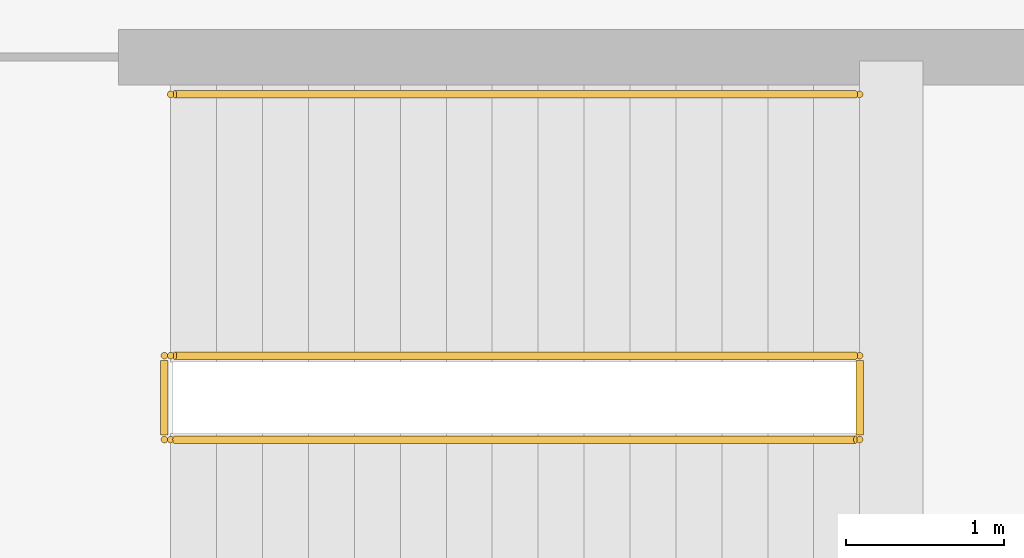
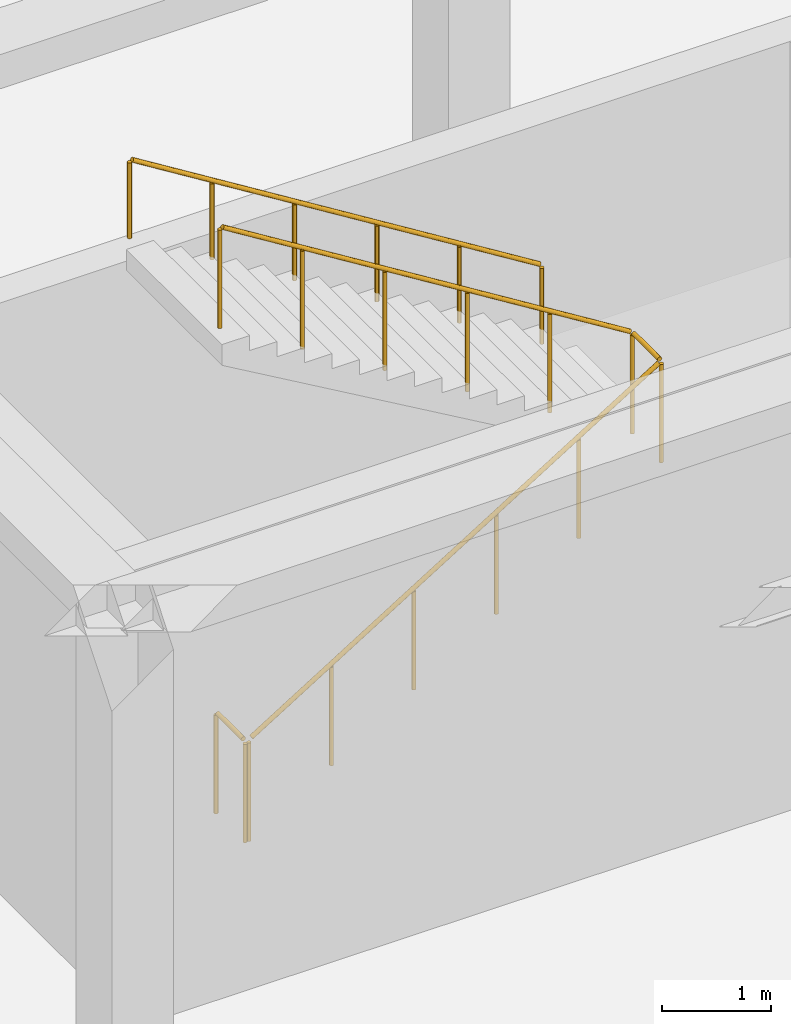
# One storey, part 63 of 65: 3 railings.
"""IFC4 building model written with IfcOpenShell, lengths in metres."""

from ifc_helpers import new_model, si_unit, direction, frame, origin, origin_2d, place, context, subcontext, project, spatial, circle, extrude, material, type_object, element, save


model = new_model("IFC4")

# Units and contexts
model_context = context("Model", 3, precision=1e-05, world=origin(), true_north=direction((0.0, 1.0)))
body_context = subcontext(model_context, "Body", "Model", "MODEL_VIEW")
ifc_project = project(units=[si_unit("LENGTHUNIT", "METRE"), si_unit("AREAUNIT", "SQUARE_METRE"), si_unit("VOLUMEUNIT", "CUBIC_METRE"), si_unit("PLANEANGLEUNIT", "RADIAN"), si_unit("MASSUNIT", "GRAM", prefix="KILO")], contexts=[model_context])

# Site, building, storey
site_placement = place(None, origin())
site = spatial("IfcSite", under=ifc_project, at=site_placement, CompositionType="ELEMENT")
building_placement = place(site_placement, origin())
building = spatial("IfcBuilding", under=site, at=building_placement, Name="Almacenes y Pasaje Nevantli", CompositionType="ELEMENT")
storey_placement = place(building_placement, frame((0.0, 0.0, 16.800048828125)))
storey = spatial("IfcBuildingStorey", under=building, at=storey_placement, Name="L04", CompositionType="ELEMENT", Elevation=16.800048828125)

# Railings
ifc_material_1 = material(Name="Brushed Stainless Steel and Tempered Safety Glass", Category="steel")
railing_type_1 = type_object("IfcRailingType", Name="RL-GUARD-1100", PredefinedType="BALUSTRADE", material=ifc_material_1)
railing_1_placement = place(storey_placement, frame((128.699951171875, 19.2099609375, 0.0)))
element("IfcRailing", 1, at=railing_1_placement, inside=storey, type_object=railing_type_1, Name="L04 Stair ST-06 Inner Well Guard Balustrade", PredefinedType="BALUSTRADE", context=body_context, shape_type="SweptSolid", body=[
    extrude(circle(Radius=0.02392578125, at=origin_2d()), frame((0.025390625, 0.0, 1.1416015625), z_axis=(0.849649743971, 0.0, 0.527347430608), x_axis=(0.0, 1.0, 0.0)), (0.0, 0.0, 1.0), 5.059814453125),
    extrude(circle(Radius=0.02392578125, at=origin_2d()), frame((4.35009765625, 0.030029296875, 3.82568359375), z_axis=(0.0, 1.0, 0.0), x_axis=(-1.0, 0.0, 0.0)), (0.0, 0.0, 1.0), 0.469970703125),
    extrude(circle(Radius=0.02392578125, at=origin_2d()), frame((4.32470703125, 0.530029296875, 3.841552734375), z_axis=(-0.849649743971, 0.0, 0.527347430608), x_axis=(0.0, -1.0, 0.0)), (0.0, 0.0, 1.0), 5.059814453125),
    extrude(circle(Radius=0.02099609375, at=origin_2d()), origin(), (0.0, 0.0, 1.0), 1.096923828125),
    extrude(circle(Radius=0.02099609375, at=origin_2d()), frame((0.8701171875, 0.0, 0.5400390625)), (0.0, 0.0, 1.0), 1.096923828125),
    extrude(circle(Radius=0.02099609375, at=origin_2d()), frame((1.739990234375, 0.0, 1.080078125)), (0.0, 0.0, 1.0), 1.096923828125),
    extrude(circle(Radius=0.02099609375, at=origin_2d()), frame((2.610107421875, 0.0, 1.619873046875)), (0.0, 0.0, 1.0), 1.096923828125),
    extrude(circle(Radius=0.02099609375, at=origin_2d()), frame((3.47998046875, 0.0, 2.159912109375)), (0.0, 0.0, 1.0), 1.096923828125),
    extrude(circle(Radius=0.02099609375, at=origin_2d()), frame((4.35009765625, 0.0, 2.699951171875)), (0.0, 0.0, 1.0), 1.096923828125),
    extrude(circle(Radius=0.02099609375, at=origin_2d()), frame((4.35009765625, 0.530029296875, 2.699951171875)), (0.0, 0.0, 1.0), 1.096923828125),
    extrude(circle(Radius=0.02099609375, at=origin_2d()), frame((3.47998046875, 0.530029296875, 3.239990234375)), (0.0, 0.0, 1.0), 1.096923828125),
    extrude(circle(Radius=0.02099609375, at=origin_2d()), frame((2.610107421875, 0.530029296875, 3.780029296875)), (0.0, 0.0, 1.0), 1.096923828125),
    extrude(circle(Radius=0.02099609375, at=origin_2d()), frame((1.739990234375, 0.530029296875, 4.31982421875)), (0.0, 0.0, 1.0), 1.096923828125),
    extrude(circle(Radius=0.02099609375, at=origin_2d()), frame((0.8701171875, 0.530029296875, 4.85986328125)), (0.0, 0.0, 1.0), 1.096923828125),
    extrude(circle(Radius=0.02099609375, at=origin_2d()), frame((0.0, 0.530029296875, 5.39990234375)), (0.0, 0.0, 1.0), 1.096923828125),
])
railing_2_placement = place(storey_placement, frame((128.659912109375, 19.2099609375, 0.0)))
element("IfcRailing", 2, at=railing_2_placement, inside=storey, type_object=railing_type_1, Name="L04 Stair ST-06 Landing Well Slot Guard", PredefinedType="BALUSTRADE", context=body_context, shape_type="SweptSolid", body=[
    extrude(circle(Radius=0.02392578125, at=origin_2d()), frame((0.0, 0.030029296875, 1.1259765625), z_axis=(0.0, 1.0, 0.0), x_axis=(-1.0, 0.0, 0.0)), (0.0, 0.0, 1.0), 0.469970703125),
    extrude(circle(Radius=0.02099609375, at=origin_2d()), origin(), (0.0, 0.0, 1.0), 1.096923828125),
    extrude(circle(Radius=0.02099609375, at=origin_2d()), frame((0.0, 0.530029296875, 0.0)), (0.0, 0.0, 1.0), 1.096923828125),
])
ifc_material_2 = material(Name="Brushed Stainless Steel Tube", Category="steel")
railing_type_2 = type_object("IfcRailingType", Name="RL-HANDRAIL-900", PredefinedType="HANDRAIL", material=ifc_material_2)
railing_3_placement = place(storey_placement, frame((133.050048828125, 21.389892578125, 2.699951171875)))
element("IfcRailing", 3, at=railing_3_placement, inside=storey, type_object=railing_type_2, Name="L04 Stair ST-06 Upper Flight Handrail", PredefinedType="HANDRAIL", context=body_context, shape_type="SweptSolid", body=[
    extrude(circle(Radius=0.02392578125, at=origin_2d()), frame((-0.025390625, 0.0, 0.8916015625), z_axis=(-0.849649743971, 0.0, 0.527347430608), x_axis=(0.0, -1.0, 0.0)), (0.0, 0.0, 1.0), 5.059814453125),
    extrude(circle(Radius=0.02099609375, at=origin_2d()), origin(), (0.0, 0.0, 1.0), 0.846923828125),
    extrude(circle(Radius=0.02099609375, at=origin_2d()), frame((-0.8701171875, 0.0, 0.5400390625)), (0.0, 0.0, 1.0), 0.846923828125),
    extrude(circle(Radius=0.02099609375, at=origin_2d()), frame((-1.739990234375, 0.0, 1.080078125)), (0.0, 0.0, 1.0), 0.846923828125),
    extrude(circle(Radius=0.02099609375, at=origin_2d()), frame((-2.610107421875, 0.0, 1.619873046875)), (0.0, 0.0, 1.0), 0.846923828125),
    extrude(circle(Radius=0.02099609375, at=origin_2d()), frame((-3.47998046875, 0.0, 2.159912109375)), (0.0, 0.0, 1.0), 0.846923828125),
    extrude(circle(Radius=0.02099609375, at=origin_2d()), frame((-4.35009765625, 0.0, 2.699951171875)), (0.0, 0.0, 1.0), 0.846923828125),
])

save(model, "model.ifc")
